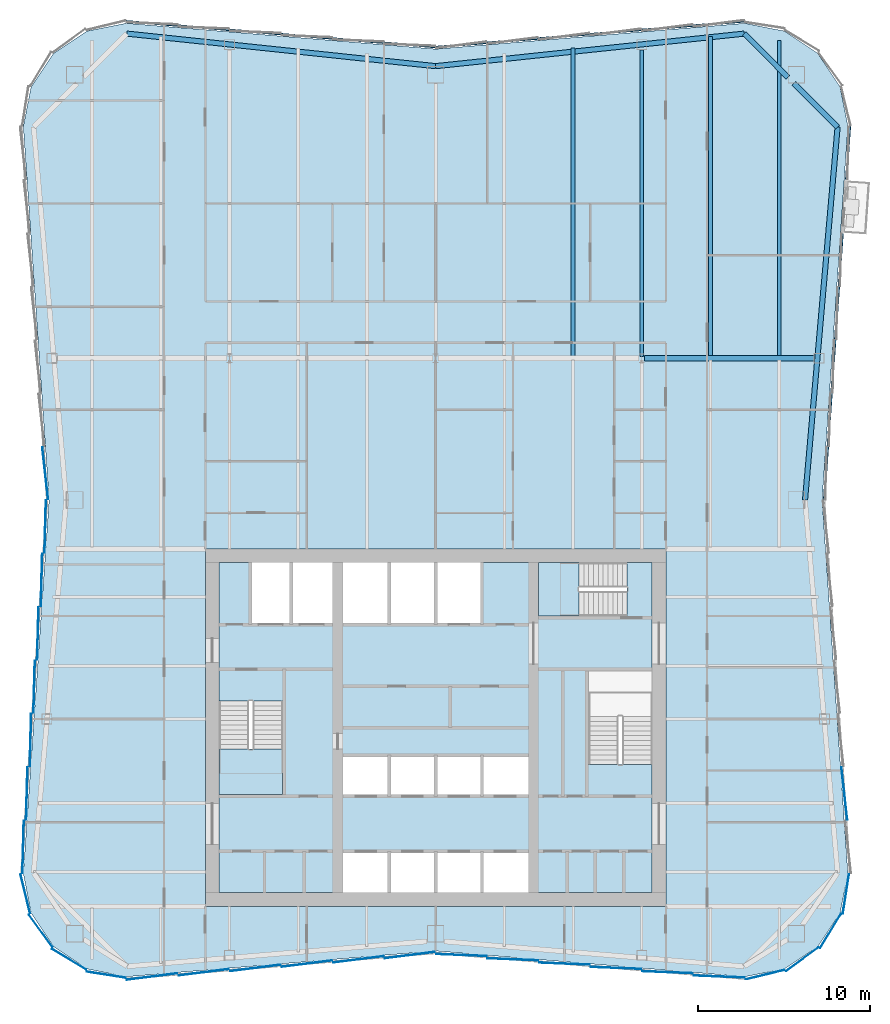
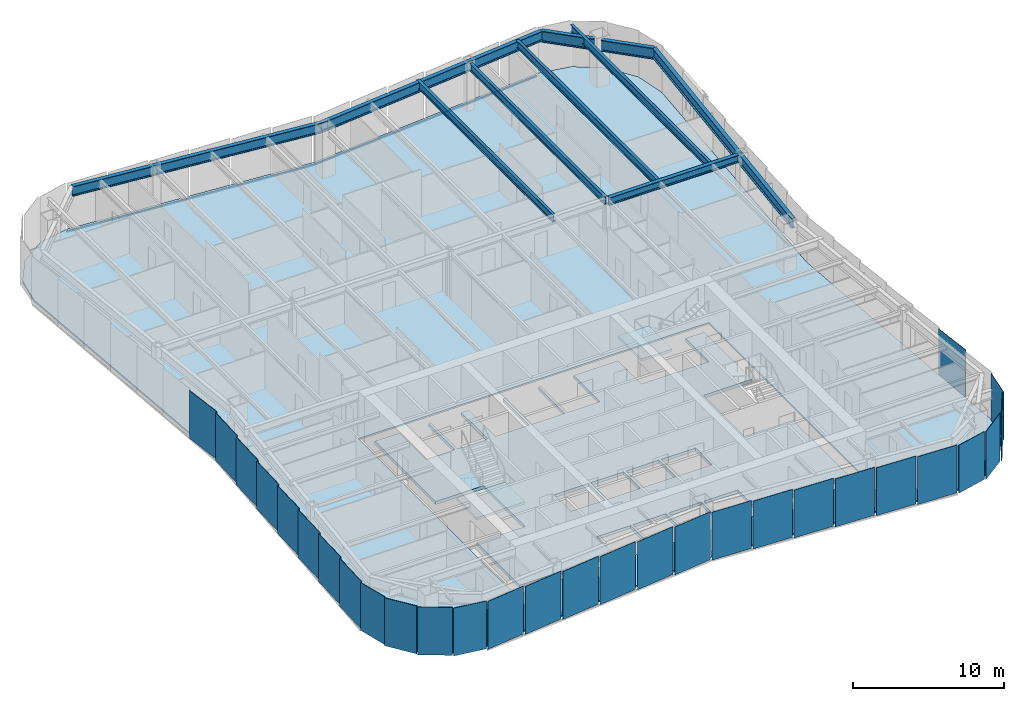
# One storey, part 4 of 12: 29 plates, 10 beams, 4 members, 4 slabs, 8 elements without a shape of their own.
"""IFC4 building model written with IfcOpenShell, lengths in metres."""

from ifc_helpers import new_model, si_unit, direction, frame, origin, origin_2d, place, context, subcontext, project, spatial, polyline, rectangle, i_section, outline, extrude, material, layer, layer_set, material_profile, profile_set, type_object, element, aggregate, save


model = new_model("IFC4")

# Units and contexts
model_context = context("Model", 3, precision=1e-05, world=origin(), true_north=direction((0.0, 1.0)))
body_context = subcontext(model_context, "Body", "Model", "MODEL_VIEW")
ifc_project = project(units=[si_unit("LENGTHUNIT", "METRE"), si_unit("AREAUNIT", "SQUARE_METRE"), si_unit("VOLUMEUNIT", "CUBIC_METRE"), si_unit("PLANEANGLEUNIT", "RADIAN"), si_unit("MASSUNIT", "GRAM", prefix="KILO")], contexts=[model_context])

# Site, building, storey
site_placement = place(None, origin())
site = spatial("IfcSite", under=ifc_project, at=site_placement, CompositionType="ELEMENT")
building_placement = place(site_placement, origin())
building = spatial("IfcBuilding", under=site, at=building_placement, Name="Verdant Reach Tower", CompositionType="ELEMENT")
storey_placement = place(building_placement, frame((0.0, 0.0, 266.0)))
storey = spatial("IfcBuildingStorey", under=building, at=storey_placement, Name="L61", CompositionType="ELEMENT", Elevation=266.0)

# Curtain wall, members
ifc_material_1 = material(Name="Anodised aluminium", Category="aluminium")
curtain_wall_type = type_object("IfcCurtainWallType", Name="EN-CW SYSTEM Z4", PredefinedType="NOTDEFINED", material=ifc_material_1)
curtain_wall_1_placement = place(storey_placement, origin())
curtain_wall_1 = element("IfcCurtainWall", 1, at=curtain_wall_1_placement, inside=storey, type_object=curtain_wall_type, Name="Curtain wall east, L61", PredefinedType="NOTDEFINED")
ifc_material_profile_1 = material_profile(ifc_material_1, rectangle(XDim=0.10009765625, YDim=0.1279296875, at=origin_2d()), Name="Transom 128x100")
ifc_profile_set_1 = profile_set([ifc_material_profile_1], Name="Anodised aluminium")
member_type = type_object("IfcMemberType", Name="EN-TRANSOM Z4", PredefinedType="USERDEFINED", material=ifc_profile_set_1)
member_1_placement = place(storey_placement, frame((22.6142578125, 41.283935546875, -0.285888671875), z_axis=(0.068829665926, 0.997628426363, 0.0), x_axis=(-0.997628426363, 0.068829665926, 0.0)))
member_1 = element("IfcMember", 2, at=member_1_placement, type_object=member_type, Name="Transom east face part 2 1.1, L61", ObjectType="TRANSOM", PredefinedType="USERDEFINED", context=body_context, shape_type="SweptSolid", body=[
    extrude(rectangle(XDim=0.10009765625, YDim=0.1279296875, at=origin_2d()), origin(), (0.0, 0.0, 1.0), 15.4970703125),
])
member_2_placement = place(storey_placement, frame((23.899658203125, 59.919189453125, -0.285888671875), z_axis=(0.068509214601, 0.997650483644, 0.0), x_axis=(-0.997650483644, 0.068509214601, 0.0)))
member_2 = element("IfcMember", 3, at=member_2_placement, type_object=member_type, Name="Transom east face part 2 2.1, L61", ObjectType="TRANSOM", PredefinedType="USERDEFINED", context=body_context, shape_type="SweptSolid", body=[
    extrude(rectangle(XDim=0.10009765625, YDim=0.1279296875, at=origin_2d()), origin(), (0.0, 0.0, 1.0), 3.06103515625),
])

curtain_wall_2_placement = place(storey_placement, origin())
curtain_wall_2 = element("IfcCurtainWall", 4, at=curtain_wall_2_placement, inside=storey, type_object=curtain_wall_type, Name="Curtain wall north, L61", PredefinedType="NOTDEFINED")
member_3_placement = place(storey_placement, frame((17.972412109375, 69.10888671875, -0.285888671875), z_axis=(-0.996549124771, -0.083005071637, 0.0), x_axis=(0.083005071637, -0.996549124771, 0.0)))
member_3 = element("IfcMember", 5, at=member_3_placement, type_object=member_type, Name="Transom north face part 1 1.1, L61", ObjectType="TRANSOM", PredefinedType="USERDEFINED", context=body_context, shape_type="SweptSolid", body=[
    extrude(rectangle(XDim=0.10009765625, YDim=0.1279296875, at=origin_2d()), origin(), (0.0, 0.0, 1.0), 18.00048828125),
])
member_4_placement = place(storey_placement, frame((-0.033935546875, 67.61474609375, -0.285888671875), z_axis=(-0.996549124771, 0.083005071637, 0.0), x_axis=(-0.083005071637, -0.996549124771, 0.0)))
member_4 = element("IfcMember", 6, at=member_4_placement, type_object=member_type, Name="Transom north face part 2 1.1, L61", ObjectType="TRANSOM", PredefinedType="USERDEFINED", context=body_context, shape_type="SweptSolid", body=[
    extrude(rectangle(XDim=0.10009765625, YDim=0.1279296875, at=origin_2d()), origin(), (0.0, 0.0, 1.0), 18.00048828125),
])
aggregate(curtain_wall_2, [member_3, member_4])

# Beams
ifc_material_2 = material(Name="Steel S355", Category="steel")
ifc_material_profile_2 = material_profile(ifc_material_2, i_section(OverallWidth=0.300048828125, OverallDepth=0.60009765625, WebThickness=0.015380859375, FlangeThickness=0.030029296875, FilletRadius=0.027099609375, at=origin_2d()), Name="HEB 600")
ifc_profile_set_2 = profile_set([ifc_material_profile_2], Name="Steel S355")
beam_type_1 = type_object("IfcBeamType", Name="ST-BEAM-HEB600", PredefinedType="BEAM", material=ifc_profile_set_2)
beam_1_placement = place(storey_placement, frame((12.153076171875, 49.5, 3.570068359375), z_axis=(1.0, 0.0, 0.0), x_axis=(0.0, 1.0, 0.0)))
element("IfcBeam", 7, at=beam_1_placement, inside=storey, type_object=beam_type_1, Name="Row girder, L61", PredefinedType="BEAM", context=body_context, shape_type="SweptSolid", body=[
    extrude(i_section(OverallWidth=0.300048828125, OverallDepth=0.60009765625, WebThickness=0.015380859375, FlangeThickness=0.030029296875, FilletRadius=0.027099609375, at=origin_2d()), origin(), (0.0, 0.0, 1.0), 9.865966796875),
])
ifc_material_profile_3 = material_profile(ifc_material_2, i_section(OverallWidth=0.219970703125, OverallDepth=0.60009765625, WebThickness=0.011962890625, FlangeThickness=0.01904296875, FilletRadius=0.02392578125, at=origin_2d()), Name="IPE 600")
ifc_profile_set_3 = profile_set([ifc_material_profile_3], Name="Steel S355")
beam_type_2 = type_object("IfcBeamType", Name="ST-JOIST-IPE600", PredefinedType="JOIST", material=ifc_profile_set_3)
beam_2_placement = place(storey_placement, frame((8.0, 49.60009765625, 3.570068359375), z_axis=(0.0, 1.0, 0.0), x_axis=(-1.0, 0.0, 0.0)))
element("IfcBeam", 8, at=beam_2_placement, inside=storey, type_object=beam_type_2, Name="Floor joist, L61", PredefinedType="JOIST", context=body_context, shape_type="SweptSolid", body=[
    extrude(i_section(OverallWidth=0.219970703125, OverallDepth=0.60009765625, WebThickness=0.011962890625, FlangeThickness=0.01904296875, FilletRadius=0.02392578125, at=origin_2d()), origin(), (0.0, 0.0, 1.0), 17.964599609375),
])
beam_3_placement = place(storey_placement, frame((12.0, 49.60009765625, 3.570068359375), z_axis=(0.0, 1.0, 0.0), x_axis=(-1.0, 0.0, 0.0)))
element("IfcBeam", 9, at=beam_3_placement, inside=storey, type_object=beam_type_2, Name="Floor joist, L61", PredefinedType="JOIST", context=body_context, shape_type="SweptSolid", body=[
    extrude(i_section(OverallWidth=0.219970703125, OverallDepth=0.60009765625, WebThickness=0.011962890625, FlangeThickness=0.01904296875, FilletRadius=0.02392578125, at=origin_2d()), origin(), (0.0, 0.0, 1.0), 17.849853515625),
])
beam_4_placement = place(storey_placement, frame((16.0, 49.60009765625, 3.570068359375), z_axis=(0.0, 1.0, 0.0), x_axis=(-1.0, 0.0, 0.0)))
element("IfcBeam", 10, at=beam_4_placement, inside=storey, type_object=beam_type_2, Name="Floor joist, L61", PredefinedType="JOIST", context=body_context, shape_type="SweptSolid", body=[
    extrude(i_section(OverallWidth=0.219970703125, OverallDepth=0.60009765625, WebThickness=0.011962890625, FlangeThickness=0.01904296875, FilletRadius=0.02392578125, at=origin_2d()), origin(), (0.0, 0.0, 1.0), 18.631103515625),
])
beam_5_placement = place(storey_placement, frame((20.0, 49.60009765625, 3.570068359375), z_axis=(0.0, 1.0, 0.0), x_axis=(-1.0, 0.0, 0.0)))
element("IfcBeam", 11, at=beam_5_placement, inside=storey, type_object=beam_type_2, Name="Floor joist, L61", PredefinedType="JOIST", context=body_context, shape_type="SweptSolid", body=[
    extrude(i_section(OverallWidth=0.219970703125, OverallDepth=0.60009765625, WebThickness=0.011962890625, FlangeThickness=0.01904296875, FilletRadius=0.02392578125, at=origin_2d()), origin(), (0.0, 0.0, 1.0), 18.390380859375),
])
ifc_material_profile_4 = material_profile(ifc_material_2, i_section(OverallWidth=0.300048828125, OverallDepth=0.800048828125, WebThickness=0.017578125, FlangeThickness=0.032958984375, FilletRadius=0.030029296875, at=origin_2d()), Name="HEB 800")
ifc_profile_set_4 = profile_set([ifc_material_profile_4], Name="Steel S355")
beam_type_3 = type_object("IfcBeamType", Name="ST-SPANDREL-HEB800", PredefinedType="SPANDREL", material=ifc_profile_set_4)
for number, where, z_axis, x_axis, name in (
    (12, (-17.9658203125, 68.39501953125, 3.469970703125), (0.994483067002, -0.104897232783, 0.0), (0.104897232783, 0.994483067002, 0.0), "Edge beam, L61"),
    (13, (0.0, 66.5, 3.469970703125), (0.994483067002, 0.104897232783, 0.0), (-0.104897232783, 0.994483067002, 0.0), "Edge beam, L61"),
):
    element("IfcBeam", number, at=place(storey_placement, frame(where, z_axis=z_axis, x_axis=x_axis)), inside=storey, type_object=beam_type_3, Name=name, PredefinedType="SPANDREL", context=body_context, shape_type="SweptSolid", body=[
        extrude(i_section(OverallWidth=0.300048828125, OverallDepth=0.800048828125, WebThickness=0.017578125, FlangeThickness=0.032958984375, FilletRadius=0.030029296875, at=origin_2d()), origin(), (0.0, 0.0, 1.0), 18.0654296875),
    ])
beam_6_placement = place(storey_placement, frame((23.39599609375, 62.96142578125, 3.469970703125), z_axis=(-0.086996024331, -0.996208658741, 0.0), x_axis=(0.996208658741, -0.086996024331, 0.0)))
element("IfcBeam", 14, at=beam_6_placement, inside=storey, type_object=beam_type_3, Name="Edge beam, L61", PredefinedType="SPANDREL", context=body_context, shape_type="SweptSolid", body=[
    extrude(i_section(OverallWidth=0.300048828125, OverallDepth=0.800048828125, WebThickness=0.017578125, FlangeThickness=0.032958984375, FilletRadius=0.030029296875, at=origin_2d()), origin(), (0.0, 0.0, 1.0), 21.7939453125),
])
ifc_material_profile_5 = material_profile(ifc_material_2, i_section(OverallWidth=0.302001953125, OverallDepth=0.909912109375, WebThickness=0.02099609375, FlangeThickness=0.0400390625, FilletRadius=0.030029296875, at=origin_2d()), Name="HEM 900")
ifc_profile_set_5 = profile_set([ifc_material_profile_5], Name="Steel S355")
beam_type_4 = type_object("IfcBeamType", Name="ST-SPANDREL-HEM900", PredefinedType="SPANDREL", material=ifc_profile_set_5)
beam_7_placement = place(storey_placement, frame((17.9658203125, 68.39501953125, 3.4150390625), z_axis=(0.706868394255, -0.707345087777, 0.0), x_axis=(0.707345087777, 0.706868394255, 0.0)))
element("IfcBeam", 15, at=beam_7_placement, inside=storey, type_object=beam_type_4, Name="Edge beam, L61", PredefinedType="SPANDREL", context=body_context, shape_type="SweptSolid", body=[
    extrude(i_section(OverallWidth=0.302001953125, OverallDepth=0.909912109375, WebThickness=0.02099609375, FlangeThickness=0.0400390625, FilletRadius=0.030029296875, at=origin_2d()), origin(), (0.0, 0.0, 1.0), 3.5849609375),
])
beam_8_placement = place(storey_placement, frame((20.85888671875, 65.5, 3.4150390625), z_axis=(0.706902680526, -0.707310822952, 0.0), x_axis=(0.707310822952, 0.706902680526, 0.0)))
element("IfcBeam", 16, at=beam_8_placement, inside=storey, type_object=beam_type_4, Name="Edge beam, L61", PredefinedType="SPANDREL", context=body_context, shape_type="SweptSolid", body=[
    extrude(i_section(OverallWidth=0.302001953125, OverallDepth=0.909912109375, WebThickness=0.02099609375, FlangeThickness=0.0400390625, FilletRadius=0.030029296875, at=origin_2d()), origin(), (0.0, 0.0, 1.0), 3.589111328125),
])

# Stair, slab
ifc_material_3 = material(Name="Concrete C40/50", Category="concrete")
stair_type = type_object("IfcStairType", Name="CO-STAIR", PredefinedType="HALF_TURN_STAIR", material=ifc_material_3)
stair_1_placement = place(storey_placement, origin())
stair_1 = element("IfcStair", 17, at=stair_1_placement, inside=storey, type_object=stair_type, Name="L61 Exit stair 1", PredefinedType="HALF_TURN_STAIR")
ifc_layer_1 = layer(ifc_material_3, 0.199951171875)
ifc_layer_set_1 = layer_set([ifc_layer_1], Name="CO-STAIR-LANDING")
slab_type_1 = type_object("IfcSlabType", Name="CO-STAIR-LANDING", PredefinedType="LANDING", material=ifc_layer_set_1)
slab_1_placement = place(storey_placement, frame((0.0, 0.0, 1.800048828125)))
slab_1 = element("IfcSlab", 18, at=slab_1_placement, type_object=slab_type_1, Name="ST-1 landing 1", PredefinedType="LANDING", context=body_context, shape_type="SweptSolid", body=[
    extrude(outline(polyline([(-12.60009765625, 26.75), (-12.60009765625, 24.10009765625), (-8.89990234375, 24.10009765625), (-8.89990234375, 26.75), (-12.60009765625, 26.75)])), origin(), (0.0, 0.0, 1.0), 0.199951171875),
])
aggregate(stair_1, [slab_1])

stair_2_placement = place(storey_placement, origin())
stair_2 = element("IfcStair", 19, at=stair_2_placement, inside=storey, type_object=stair_type, Name="L61 Exit stair 3", PredefinedType="HALF_TURN_STAIR")
slab_2_placement = place(storey_placement, frame((0.0, 0.0, 1.800048828125)))
slab_2 = element("IfcSlab", 20, at=slab_2_placement, type_object=slab_type_1, Name="ST-3 landing 1", PredefinedType="LANDING", context=body_context, shape_type="SweptSolid", body=[
    extrude(outline(polyline([(8.35009765625, 37.60009765625), (6.0, 37.60009765625), (6.0, 34.5), (8.35009765625, 34.5), (8.35009765625, 37.60009765625)])), origin(), (0.0, 0.0, 1.0), 0.199951171875),
])
aggregate(stair_2, [slab_2])

# Curtain wall, plate
curtain_wall_3_placement = place(storey_placement, origin())
curtain_wall_3 = element("IfcCurtainWall", 21, at=curtain_wall_3_placement, inside=storey, type_object=curtain_wall_type, Name="Curtain wall south-east corner, L61", PredefinedType="NOTDEFINED")
ifc_material_4 = material(Name="Tinted glass with champagne spandrel", Category="glass")
ifc_layer_2 = layer(ifc_material_4, 0.031982421875)
ifc_layer_set_2 = layer_set([ifc_layer_2], Name="EN-PANEL CHAMPAGNE")
plate_type_1 = type_object("IfcPlateType", Name="EN-PANEL CHAMPAGNE", PredefinedType="CURTAIN_PANEL", material=ifc_layer_set_2)
plate_1_placement = place(storey_placement, frame((23.87939453125, 18.326904296875, -0.221923828125), z_axis=(0.0, 0.0, 1.0), x_axis=(0.154324690427, 0.988020187003, 0.0)))
plate_1 = element("IfcPlate", 22, at=plate_1_placement, type_object=plate_type_1, Name="Glass panel south-east corner 4.1, L61", PredefinedType="CURTAIN_PANEL", context=body_context, shape_type="SweptSolid", body=[
    extrude(rectangle(XDim=2.313720703125, YDim=0.031982421875, at=origin_2d()), origin(), (0.0, 0.0, 1.0), 3.8720703125),
])

# Plate
plate_2_placement = place(storey_placement, frame((23.790283203125, 24.16845703125, -0.221923828125), z_axis=(0.0, 0.0, 1.0), x_axis=(-0.110518162674, 0.993874104562, 0.0)))
plate_2 = element("IfcPlate", 23, at=plate_2_placement, type_object=plate_type_1, Name="Glass panel east face part 1 2.1, L61", PredefinedType="CURTAIN_PANEL", context=body_context, shape_type="SweptSolid", body=[
    extrude(rectangle(XDim=3.050537109375, YDim=0.031982421875, at=origin_2d()), origin(), (0.0, 0.0, 1.0), 3.8720703125),
])

aggregate(curtain_wall_1, [plate_2, member_1, member_2])

# Curtain wall, plates
curtain_wall_4_placement = place(storey_placement, origin())
curtain_wall_4 = element("IfcCurtainWall", 24, at=curtain_wall_4_placement, inside=storey, type_object=curtain_wall_type, Name="Curtain wall west, L61", PredefinedType="NOTDEFINED")
plate_3_placement = place(storey_placement, frame((-22.718994140625, 42.7998046875, -0.221923828125), z_axis=(0.0, 0.0, 1.0), x_axis=(0.110603065042, -0.993864659802, 0.0)))
plate_3 = element("IfcPlate", 25, at=plate_3_placement, type_object=plate_type_1, Name="Glass panel west face part 1 7.1, L61", PredefinedType="CURTAIN_PANEL", context=body_context, shape_type="SweptSolid", body=[
    extrude(rectangle(XDim=3.042724609375, YDim=0.031982421875, at=origin_2d()), origin(), (0.0, 0.0, 1.0), 3.8720703125),
])
plate_4_placement = place(storey_placement, frame((-22.718994140625, 39.7001953125, -0.221923828125), z_axis=(0.0, 0.0, 1.0), x_axis=(-0.027050713229, -0.999634062502, 0.0)))
plate_4 = element("IfcPlate", 26, at=plate_4_placement, type_object=plate_type_1, Name="Glass panel west face part 2 1.1, L61", PredefinedType="CURTAIN_PANEL", context=body_context, shape_type="SweptSolid", body=[
    extrude(rectangle(XDim=3.042724609375, YDim=0.031982421875, at=origin_2d()), origin(), (0.0, 0.0, 1.0), 3.8720703125),
])
plate_5_placement = place(storey_placement, frame((-24.004638671875, 21.053955078125, -0.221923828125), z_axis=(0.0, 0.0, 1.0), x_axis=(-0.026651253217, -0.999644792265, 0.0)))
plate_5 = element("IfcPlate", 27, at=plate_5_placement, type_object=plate_type_1, Name="Glass panel west face part 2 7.1, L61", PredefinedType="CURTAIN_PANEL", context=body_context, shape_type="SweptSolid", body=[
    extrude(rectangle(XDim=3.0654296875, YDim=0.031982421875, at=origin_2d()), origin(), (0.0, 0.0, 1.0), 3.8720703125),
])

curtain_wall_5_placement = place(storey_placement, origin())
curtain_wall_5 = element("IfcCurtainWall", 28, at=curtain_wall_5_placement, inside=storey, type_object=curtain_wall_type, Name="Curtain wall south, L61", PredefinedType="NOTDEFINED")
plate_6_placement = place(storey_placement, frame((-7.49072265625, 14.263427734375, -0.221923828125), z_axis=(0.0, 0.0, 1.0), x_axis=(0.992194034542, 0.124703639961, 0.0)))
plate_6 = element("IfcPlate", 29, at=plate_6_placement, type_object=plate_type_1, Name="Glass panel south face part 1 4.1, L61", PredefinedType="CURTAIN_PANEL", context=body_context, shape_type="SweptSolid", body=[
    extrude(rectangle(XDim=2.9462890625, YDim=0.031982421875, at=origin_2d()), origin(), (0.0, 0.0, 1.0), 3.8720703125),
])
plate_7_placement = place(storey_placement, frame((-4.49072265625, 14.513427734375, -0.221923828125), z_axis=(0.0, 0.0, 1.0), x_axis=(0.992194034542, 0.124703639961, 0.0)))
plate_7 = element("IfcPlate", 30, at=plate_7_placement, type_object=plate_type_1, Name="Glass panel south face part 1 5.1, L61", PredefinedType="CURTAIN_PANEL", context=body_context, shape_type="SweptSolid", body=[
    extrude(rectangle(XDim=2.9462890625, YDim=0.031982421875, at=origin_2d()), origin(), (0.0, 0.0, 1.0), 3.8720703125),
])
plate_8_placement = place(storey_placement, frame((13.49072265625, 13.763427734375, -0.221923828125), z_axis=(0.0, 0.0, 1.0), x_axis=(0.999149202059, -0.041241629766, 0.0)))
plate_8 = element("IfcPlate", 31, at=plate_8_placement, type_object=plate_type_1, Name="Glass panel south face part 2 5.1, L61", PredefinedType="CURTAIN_PANEL", context=body_context, shape_type="SweptSolid", body=[
    extrude(rectangle(XDim=2.9462890625, YDim=0.031982421875, at=origin_2d()), origin(), (0.0, 0.0, 1.0), 3.8720703125),
])
plate_9_placement = place(storey_placement, frame((16.49853515625, 13.51318359375, -0.221923828125), z_axis=(0.0, 0.0, 1.0), x_axis=(0.999164016711, -0.040881141246, 0.0)))
plate_9 = element("IfcPlate", 32, at=plate_9_placement, type_object=plate_type_1, Name="Glass panel south face part 2 6.1, L61", PredefinedType="CURTAIN_PANEL", context=body_context, shape_type="SweptSolid", body=[
    extrude(rectangle(XDim=2.9619140625, YDim=0.031982421875, at=origin_2d()), origin(), (0.0, 0.0, 1.0), 3.8720703125),
])

# Plate
ifc_material_5 = material(Name="Tinted glass with copper spandrel", Category="glass")
ifc_layer_3 = layer(ifc_material_5, 0.031982421875)
ifc_layer_set_3 = layer_set([ifc_layer_3], Name="EN-PANEL COPPER")
plate_type_2 = type_object("IfcPlateType", Name="EN-PANEL COPPER", PredefinedType="CURTAIN_PANEL", material=ifc_layer_set_3)
plate_10_placement = place(storey_placement, frame((-22.93310546875, 36.596923828125, -0.221923828125), z_axis=(0.0, 0.0, 1.0), x_axis=(-0.026965318308, -0.999636369691, 0.0)))
plate_10 = element("IfcPlate", 33, at=plate_10_placement, type_object=plate_type_2, Name="Glass panel west face part 2 2.1, L61", PredefinedType="CURTAIN_PANEL", context=body_context, shape_type="SweptSolid", body=[
    extrude(rectangle(XDim=3.050537109375, YDim=0.031982421875, at=origin_2d()), origin(), (0.0, 0.0, 1.0), 3.8720703125),
])

plate_11_placement = place(storey_placement, frame((-23.1474609375, 33.48974609375, -0.221923828125), z_axis=(0.0, 0.0, 1.0), x_axis=(-0.026965318308, -0.999636369691, 0.0)))
plate_11 = element("IfcPlate", 34, at=plate_11_placement, type_object=plate_type_2, Name="Glass panel west face part 2 3.1, L61", PredefinedType="CURTAIN_PANEL", context=body_context, shape_type="SweptSolid", body=[
    extrude(rectangle(XDim=3.050537109375, YDim=0.031982421875, at=origin_2d()), origin(), (0.0, 0.0, 1.0), 3.8720703125),
])

plate_12_placement = place(storey_placement, frame((-23.36181640625, 30.3828125, -0.221923828125), z_axis=(0.0, 0.0, 1.0), x_axis=(-0.026965318308, -0.999636369691, 0.0)))
plate_12 = element("IfcPlate", 35, at=plate_12_placement, type_object=plate_type_2, Name="Glass panel west face part 2 4.1, L61", PredefinedType="CURTAIN_PANEL", context=body_context, shape_type="SweptSolid", body=[
    extrude(rectangle(XDim=3.050537109375, YDim=0.031982421875, at=origin_2d()), origin(), (0.0, 0.0, 1.0), 3.8720703125),
])

# Curtain wall, plates
curtain_wall_6_placement = place(storey_placement, origin())
curtain_wall_6 = element("IfcCurtainWall", 36, at=curtain_wall_6_placement, inside=storey, type_object=curtain_wall_type, Name="Curtain wall south-west corner, L61", PredefinedType="NOTDEFINED")
plate_13_placement = place(storey_placement, frame((-23.87939453125, 18.326904296875, -0.221923828125), z_axis=(0.0, 0.0, 1.0), x_axis=(0.236458850433, -0.971641503875, 0.0)))
plate_13 = element("IfcPlate", 37, at=plate_13_placement, type_object=plate_type_2, Name="Glass panel south-west corner 1.1, L61", PredefinedType="CURTAIN_PANEL", context=body_context, shape_type="SweptSolid", body=[
    extrude(rectangle(XDim=2.313720703125, YDim=0.031982421875, at=origin_2d()), origin(), (0.0, 0.0, 1.0), 3.8720703125),
])
plate_14_placement = place(storey_placement, frame((-22.984375, 16.169677734375, -0.221923828125), z_axis=(0.0, 0.0, 1.0), x_axis=(0.589926737254, -0.80745677573, 0.0)))
plate_14 = element("IfcPlate", 38, at=plate_14_placement, type_object=plate_type_2, Name="Glass panel south-west corner 2.1, L61", PredefinedType="CURTAIN_PANEL", context=body_context, shape_type="SweptSolid", body=[
    extrude(rectangle(XDim=2.32080078125, YDim=0.031982421875, at=origin_2d()), origin(), (0.0, 0.0, 1.0), 3.8720703125),
])

# Plate
plate_15_placement = place(storey_placement, frame((-1.495361328125, 14.76318359375, -0.221923828125), z_axis=(0.0, 0.0, 1.0), x_axis=(0.992177950603, 0.124831543836, 0.0)))
plate_15 = element("IfcPlate", 39, at=plate_15_placement, type_object=plate_type_2, Name="Glass panel south face part 1 6.1, L61", PredefinedType="CURTAIN_PANEL", context=body_context, shape_type="SweptSolid", body=[
    extrude(rectangle(XDim=2.93701171875, YDim=0.031982421875, at=origin_2d()), origin(), (0.0, 0.0, 1.0), 3.8720703125),
])

plate_16_placement = place(storey_placement, frame((1.495361328125, 14.76318359375, -0.221923828125), z_axis=(0.0, 0.0, 1.0), x_axis=(0.999143877249, -0.041370430933, 0.0)))
plate_16 = element("IfcPlate", 40, at=plate_16_placement, type_object=plate_type_2, Name="Glass panel south face part 2 1.1, L61", PredefinedType="CURTAIN_PANEL", context=body_context, shape_type="SweptSolid", body=[
    extrude(rectangle(XDim=2.93701171875, YDim=0.031982421875, at=origin_2d()), origin(), (0.0, 0.0, 1.0), 3.8720703125),
])

plate_17_placement = place(storey_placement, frame((4.49072265625, 14.513427734375, -0.221923828125), z_axis=(0.0, 0.0, 1.0), x_axis=(0.999149202059, -0.041241629766, 0.0)))
plate_17 = element("IfcPlate", 41, at=plate_17_placement, type_object=plate_type_2, Name="Glass panel south face part 2 2.1, L61", PredefinedType="CURTAIN_PANEL", context=body_context, shape_type="SweptSolid", body=[
    extrude(rectangle(XDim=2.9462890625, YDim=0.031982421875, at=origin_2d()), origin(), (0.0, 0.0, 1.0), 3.8720703125),
])

ifc_material_6 = material(Name="Tinted glass with dark bronze spandrel", Category="glass")
ifc_layer_4 = layer(ifc_material_6, 0.031982421875)
ifc_layer_set_4 = layer_set([ifc_layer_4], Name="EN-PANEL DARK")
plate_type_3 = type_object("IfcPlateType", Name="EN-PANEL DARK", PredefinedType="CURTAIN_PANEL", material=ifc_layer_set_4)
plate_18_placement = place(storey_placement, frame((19.172607421875, 13.62060546875, -0.221923828125), z_axis=(0.0, 0.0, 1.0), x_axis=(0.971652337104, 0.236414330786, 0.0)))
plate_18 = element("IfcPlate", 42, at=plate_18_placement, type_object=plate_type_3, Name="Glass panel south-east corner 1.1, L61", PredefinedType="CURTAIN_PANEL", context=body_context, shape_type="SweptSolid", body=[
    extrude(rectangle(XDim=2.314453125, YDim=0.031982421875, at=origin_2d()), origin(), (0.0, 0.0, 1.0), 3.8720703125),
])

plate_19_placement = place(storey_placement, frame((21.330322265625, 14.515625, -0.221923828125), z_axis=(0.0, 0.0, 1.0), x_axis=(0.80745677573, 0.589926737254, 0.0)))
plate_19 = element("IfcPlate", 43, at=plate_19_placement, type_object=plate_type_3, Name="Glass panel south-east corner 2.1, L61", PredefinedType="CURTAIN_PANEL", context=body_context, shape_type="SweptSolid", body=[
    extrude(rectangle(XDim=2.32080078125, YDim=0.031982421875, at=origin_2d()), origin(), (0.0, 0.0, 1.0), 3.8720703125),
])

plate_20_placement = place(storey_placement, frame((22.984375, 16.169677734375, -0.221923828125), z_axis=(0.0, 0.0, 1.0), x_axis=(0.520291539577, 0.853988708265, 0.0)))
plate_20 = element("IfcPlate", 44, at=plate_20_placement, type_object=plate_type_3, Name="Glass panel south-east corner 3.1, L61", PredefinedType="CURTAIN_PANEL", context=body_context, shape_type="SweptSolid", body=[
    extrude(rectangle(XDim=2.32080078125, YDim=0.031982421875, at=origin_2d()), origin(), (0.0, 0.0, 1.0), 3.8720703125),
])

aggregate(curtain_wall_3, [plate_18, plate_19, plate_20, plate_1])

plate_21_placement = place(storey_placement, frame((-23.575927734375, 27.275634765625, -0.221923828125), z_axis=(0.0, 0.0, 1.0), x_axis=(-0.026965318308, -0.999636369691, 0.0)))
plate_21 = element("IfcPlate", 45, at=plate_21_placement, type_object=plate_type_3, Name="Glass panel west face part 2 5.1, L61", PredefinedType="CURTAIN_PANEL", context=body_context, shape_type="SweptSolid", body=[
    extrude(rectangle(XDim=3.050537109375, YDim=0.031982421875, at=origin_2d()), origin(), (0.0, 0.0, 1.0), 3.8720703125),
])

plate_22_placement = place(storey_placement, frame((-23.790283203125, 24.16845703125, -0.221923828125), z_axis=(0.0, 0.0, 1.0), x_axis=(-0.026965318308, -0.999636369691, 0.0)))
plate_22 = element("IfcPlate", 46, at=plate_22_placement, type_object=plate_type_3, Name="Glass panel west face part 2 6.1, L61", PredefinedType="CURTAIN_PANEL", context=body_context, shape_type="SweptSolid", body=[
    extrude(rectangle(XDim=3.050537109375, YDim=0.031982421875, at=origin_2d()), origin(), (0.0, 0.0, 1.0), 3.8720703125),
])

aggregate(curtain_wall_4, [plate_3, plate_4, plate_10, plate_11, plate_12, plate_21, plate_22, plate_5])

plate_23_placement = place(storey_placement, frame((-21.330322265625, 14.515625, -0.221923828125), z_axis=(0.0, 0.0, 1.0), x_axis=(0.853988708265, -0.520291539577, 0.0)))
plate_23 = element("IfcPlate", 47, at=plate_23_placement, type_object=plate_type_3, Name="Glass panel south-west corner 3.1, L61", PredefinedType="CURTAIN_PANEL", context=body_context, shape_type="SweptSolid", body=[
    extrude(rectangle(XDim=2.32080078125, YDim=0.031982421875, at=origin_2d()), origin(), (0.0, 0.0, 1.0), 3.8720703125),
])

plate_24_placement = place(storey_placement, frame((-19.172607421875, 13.62060546875, -0.221923828125), z_axis=(0.0, 0.0, 1.0), x_axis=(0.98802725693, -0.154279420415, 0.0)))
plate_24 = element("IfcPlate", 48, at=plate_24_placement, type_object=plate_type_3, Name="Glass panel south-west corner 4.1, L61", PredefinedType="CURTAIN_PANEL", context=body_context, shape_type="SweptSolid", body=[
    extrude(rectangle(XDim=2.314453125, YDim=0.031982421875, at=origin_2d()), origin(), (0.0, 0.0, 1.0), 3.8720703125),
])

aggregate(curtain_wall_6, [plate_13, plate_14, plate_23, plate_24])

plate_25_placement = place(storey_placement, frame((-16.49853515625, 13.51318359375, -0.221923828125), z_axis=(0.0, 0.0, 1.0), x_axis=(0.992238962139, 0.124345655383, 0.0)))
plate_25 = element("IfcPlate", 49, at=plate_25_placement, type_object=plate_type_3, Name="Glass panel south face part 1 1.1, L61", PredefinedType="CURTAIN_PANEL", context=body_context, shape_type="SweptSolid", body=[
    extrude(rectangle(XDim=2.9619140625, YDim=0.031982421875, at=origin_2d()), origin(), (0.0, 0.0, 1.0), 3.8720703125),
])

plate_26_placement = place(storey_placement, frame((-13.49072265625, 13.763427734375, -0.221923828125), z_axis=(0.0, 0.0, 1.0), x_axis=(0.992194034542, 0.124703639961, 0.0)))
plate_26 = element("IfcPlate", 50, at=plate_26_placement, type_object=plate_type_3, Name="Glass panel south face part 1 2.1, L61", PredefinedType="CURTAIN_PANEL", context=body_context, shape_type="SweptSolid", body=[
    extrude(rectangle(XDim=2.9462890625, YDim=0.031982421875, at=origin_2d()), origin(), (0.0, 0.0, 1.0), 3.8720703125),
])

plate_27_placement = place(storey_placement, frame((-10.49072265625, 14.013427734375, -0.221923828125), z_axis=(0.0, 0.0, 1.0), x_axis=(0.992194034542, 0.124703639961, 0.0)))
plate_27 = element("IfcPlate", 51, at=plate_27_placement, type_object=plate_type_3, Name="Glass panel south face part 1 3.1, L61", PredefinedType="CURTAIN_PANEL", context=body_context, shape_type="SweptSolid", body=[
    extrude(rectangle(XDim=2.9462890625, YDim=0.031982421875, at=origin_2d()), origin(), (0.0, 0.0, 1.0), 3.8720703125),
])

plate_28_placement = place(storey_placement, frame((7.49072265625, 14.263427734375, -0.221923828125), z_axis=(0.0, 0.0, 1.0), x_axis=(0.999149202059, -0.041241629766, 0.0)))
plate_28 = element("IfcPlate", 52, at=plate_28_placement, type_object=plate_type_3, Name="Glass panel south face part 2 3.1, L61", PredefinedType="CURTAIN_PANEL", context=body_context, shape_type="SweptSolid", body=[
    extrude(rectangle(XDim=2.9462890625, YDim=0.031982421875, at=origin_2d()), origin(), (0.0, 0.0, 1.0), 3.8720703125),
])

plate_29_placement = place(storey_placement, frame((10.49072265625, 14.013427734375, -0.221923828125), z_axis=(0.0, 0.0, 1.0), x_axis=(0.999149202059, -0.041241629766, 0.0)))
plate_29 = element("IfcPlate", 53, at=plate_29_placement, type_object=plate_type_3, Name="Glass panel south face part 2 4.1, L61", PredefinedType="CURTAIN_PANEL", context=body_context, shape_type="SweptSolid", body=[
    extrude(rectangle(XDim=2.9462890625, YDim=0.031982421875, at=origin_2d()), origin(), (0.0, 0.0, 1.0), 3.8720703125),
])

aggregate(curtain_wall_5, [plate_25, plate_26, plate_27, plate_6, plate_7, plate_15, plate_16, plate_17, plate_28, plate_29, plate_8, plate_9])

# Slabs
ifc_material_7 = material(Name="Concrete C35/45", Category="concrete")
ifc_layer_5 = layer(ifc_material_7, 0.1298828125)
ifc_layer_set_5 = layer_set([ifc_layer_5], Name="ST-SLAB-130")
slab_type_2 = type_object("IfcSlabType", Name="ST-SLAB-130", PredefinedType="FLOOR", material=ifc_layer_set_5)
slab_3_placement = place(storey_placement, frame((0.0, 0.0, -0.1298828125)))
element("IfcSlab", 54, at=slab_3_placement, inside=storey, type_object=slab_type_2, Name="Floor slab L61", PredefinedType="FLOOR", context=body_context, shape_type="SweptSolid", body=[
    extrude(outline(polyline([(0.0, 15.0), (-18.0, 13.5), (-20.296142578125, 13.956787109375), (-22.24267578125, 15.25732421875), (-23.543212890625, 17.203857421875), (-24.0, 19.5), (-22.5, 41.25), (-24.0, 63.0), (-23.543212890625, 65.296142578125), (-22.24267578125, 67.24267578125), (-20.296142578125, 68.543212890625), (-18.0, 69.0), (0.0, 67.5), (18.0, 69.0), (20.296142578125, 68.543212890625), (22.24267578125, 67.24267578125), (23.543212890625, 65.296142578125), (24.0, 63.0), (22.5, 41.25), (24.0, 19.5), (23.543212890625, 17.203857421875), (22.24267578125, 15.25732421875), (20.296142578125, 13.956787109375), (18.0, 13.5), (0.0, 15.0)]), holes=[polyline([(13.39990234375, 38.39990234375), (-13.39990234375, 38.39990234375), (-13.39990234375, 17.60009765625), (13.39990234375, 17.60009765625), (13.39990234375, 38.39990234375)])]), origin(), (0.0, 0.0, 1.0), 0.1298828125),
])
ifc_layer_6 = layer(ifc_material_7, 0.25)
ifc_layer_set_6 = layer_set([ifc_layer_6], Name="ST-SLAB-250")
slab_type_3 = type_object("IfcSlabType", Name="ST-SLAB-250", PredefinedType="FLOOR", material=ifc_layer_set_6)
slab_4_placement = place(storey_placement, frame((0.0, 0.0, -0.25)))
element("IfcSlab", 55, at=slab_4_placement, inside=storey, type_object=slab_type_3, Name="Core floor slab L61", PredefinedType="FLOOR", context=body_context, shape_type="SweptSolid", body=[
    extrude(outline(polyline([(12.60009765625, 18.39990234375), (5.39990234375, 18.39990234375), (5.39990234375, 20.699951171875), (2.800048828125, 20.699951171875), (2.800048828125, 18.39990234375), (2.60009765625, 18.39990234375), (2.60009765625, 20.699951171875), (0.10009765625, 20.699951171875), (0.10009765625, 18.39990234375), (-0.10009765625, 18.39990234375), (-0.10009765625, 20.699951171875), (-2.60009765625, 20.699951171875), (-2.60009765625, 18.39990234375), (-2.800048828125, 18.39990234375), (-2.800048828125, 20.699951171875), (-5.39990234375, 20.699951171875), (-5.39990234375, 18.39990234375), (-12.60009765625, 18.39990234375), (-12.60009765625, 24.10009765625), (-8.89990234375, 24.10009765625), (-8.89990234375, 29.548095703125), (-12.60009765625, 29.548095703125), (-12.60009765625, 37.60009765625), (-10.699951171875, 37.60009765625), (-10.699951171875, 34.10009765625), (-8.5, 34.10009765625), (-8.5, 37.60009765625), (-8.300048828125, 37.60009765625), (-8.300048828125, 34.10009765625), (-6.0, 34.10009765625), (-6.0, 37.60009765625), (-5.39990234375, 37.60009765625), (-5.39990234375, 34.10009765625), (-2.800048828125, 34.10009765625), (-2.800048828125, 37.60009765625), (-2.60009765625, 37.60009765625), (-2.60009765625, 34.10009765625), (-0.10009765625, 34.10009765625), (-0.10009765625, 37.60009765625), (0.10009765625, 37.60009765625), (0.10009765625, 34.10009765625), (2.60009765625, 34.10009765625), (2.60009765625, 37.60009765625), (6.0, 37.60009765625), (6.0, 34.5), (11.14794921875, 34.5), (11.14794921875, 37.60009765625), (12.60009765625, 37.60009765625), (12.60009765625, 31.300048828125), (8.89990234375, 31.300048828125), (8.89990234375, 25.85205078125), (12.60009765625, 25.85205078125), (12.60009765625, 18.39990234375)]), holes=[polyline([(-2.800048828125, 24.10009765625), (-2.800048828125, 26.300048828125), (-5.39990234375, 26.300048828125), (-5.39990234375, 24.10009765625), (-2.800048828125, 24.10009765625)]), polyline([(-0.10009765625, 24.10009765625), (-0.10009765625, 26.300048828125), (-2.60009765625, 26.300048828125), (-2.60009765625, 24.10009765625), (-0.10009765625, 24.10009765625)]), polyline([(2.60009765625, 24.10009765625), (2.60009765625, 26.300048828125), (0.10009765625, 26.300048828125), (0.10009765625, 24.10009765625), (2.60009765625, 24.10009765625)]), polyline([(5.39990234375, 24.10009765625), (5.39990234375, 26.300048828125), (2.800048828125, 26.300048828125), (2.800048828125, 24.10009765625), (5.39990234375, 24.10009765625)])]), origin(), (0.0, 0.0, 1.0), 0.25),
])

save(model, "model.ifc")
